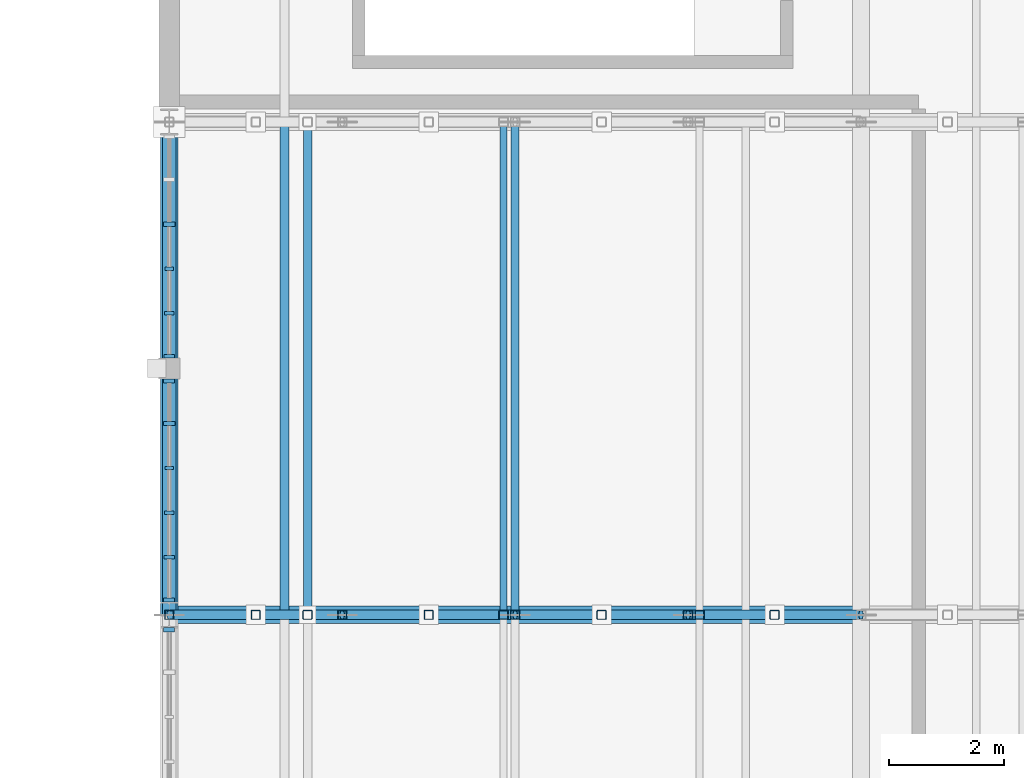
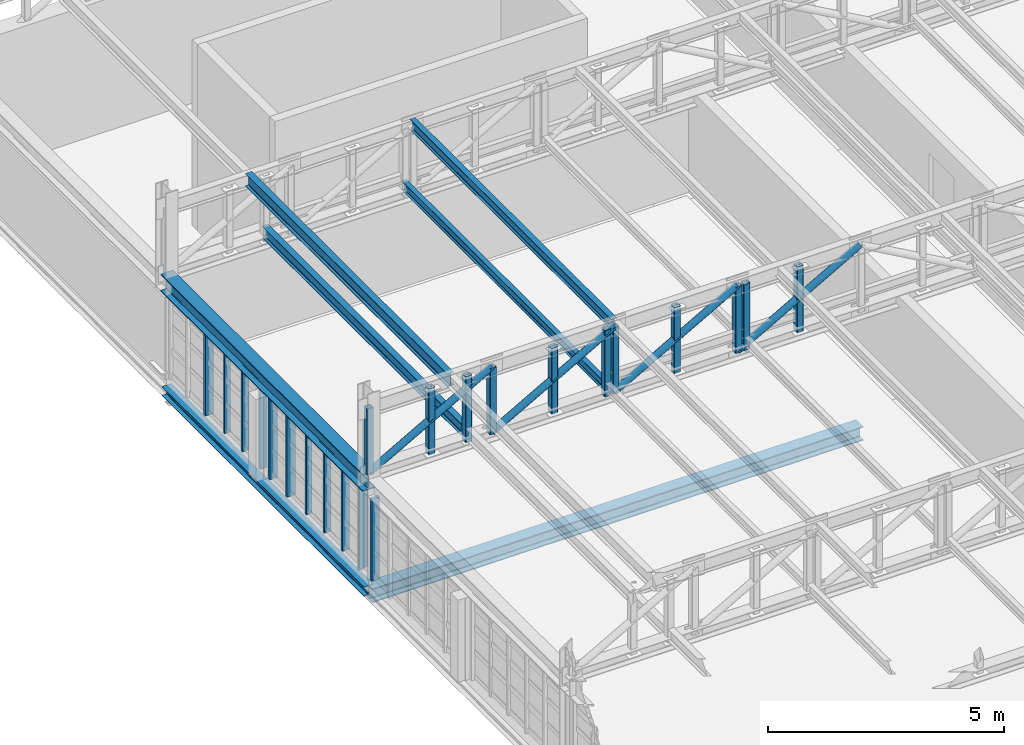
# One storey, part 52 of 128: 30 members, 3 beams, 3 elements without a shape of their own.
"""IFC4 building model written with IfcOpenShell, lengths in metres."""

from ifc_helpers import new_model, si_unit, direction, frame, origin, origin_2d, place, context, subcontext, project, spatial, rectangle, hollow_rectangle, hollow_circle, i_section, extrude, material, material_profile, profile_set, type_object, element, aggregate, save


model = new_model("IFC4")

# Units and contexts
model_context = context("Model", 3, precision=1e-05, world=origin(), true_north=direction((0.0, 1.0)))
body_context = subcontext(model_context, "Body", "Model", "MODEL_VIEW")
ifc_project = project(units=[si_unit("LENGTHUNIT", "METRE"), si_unit("AREAUNIT", "SQUARE_METRE"), si_unit("VOLUMEUNIT", "CUBIC_METRE"), si_unit("PLANEANGLEUNIT", "RADIAN"), si_unit("MASSUNIT", "GRAM", prefix="KILO")], contexts=[model_context])

# Site, building, storey
site_placement = place(None, origin())
site = spatial("IfcSite", under=ifc_project, at=site_placement, CompositionType="ELEMENT")
building_placement = place(site_placement, origin())
building = spatial("IfcBuilding", under=site, at=building_placement, Name="Serraforn Aerial Cableway Station", CompositionType="ELEMENT")
storey_placement = place(building_placement, frame((0.0, 0.0, 9.0)))
storey = spatial("IfcBuildingStorey", under=building, at=storey_placement, Name="L02", CompositionType="ELEMENT", Elevation=9.0)

# Beams
ifc_material_1 = material(Name="Steel S355JR", Category="steel")
ifc_material_profile_1 = material_profile(ifc_material_1, i_section(OverallWidth=0.239990234375, OverallDepth=0.239990234375, WebThickness=0.007568359375, FlangeThickness=0.011962890625, FilletRadius=0.02099609375, at=origin_2d()), Name="HEA 240")
ifc_profile_set_1 = profile_set([ifc_material_profile_1], Name="Steel S355JR")
beam_type_1 = type_object("IfcBeamType", Name="BM-ST-HEA240", PredefinedType="BEAM", material=ifc_profile_set_1)
beam_1_placement = place(storey_placement, frame((144.0, 96.89990234375, -0.43994140625), z_axis=(0.0, 1.0, 0.0), x_axis=(-1.0, 0.0, 0.0)))
element("IfcBeam", 1, at=beam_1_placement, inside=storey, type_object=beam_type_1, Name="Grid Girder Y EG L02 X1-7", PredefinedType="BEAM", context=body_context, shape_type="SweptSolid", body=[
    extrude(i_section(OverallWidth=0.239990234375, OverallDepth=0.239990234375, WebThickness=0.007568359375, FlangeThickness=0.011962890625, FilletRadius=0.02099609375, at=origin_2d()), origin(), (0.0, 0.0, 1.0), 8.550048828125),
])
ifc_material_2 = material(Name="Steel S355J2", Category="steel")
ifc_material_profile_2 = material_profile(ifc_material_2, i_section(OverallWidth=0.300048828125, OverallDepth=0.360107421875, WebThickness=0.012451171875, FlangeThickness=0.0224609375, FilletRadius=0.027099609375, at=origin_2d()), Name="HEB 360")
ifc_profile_set_2 = profile_set([ifc_material_profile_2], Name="Steel S355J2")
beam_type_2 = type_object("IfcBeamType", Name="BM-ST-HEB360", PredefinedType="USERDEFINED", material=ifc_profile_set_2)
beam_2_placement = place(storey_placement, frame((144.0, 96.89990234375, -0.5), z_axis=(1.0, 0.0, 0.0), x_axis=(0.0, 1.0, 0.0)))
element("IfcBeam", 2, at=beam_2_placement, inside=storey, type_object=beam_type_2, Name="Grid Girder X EG L02 Y7-1", ObjectType="GIRDER", PredefinedType="USERDEFINED", context=body_context, shape_type="SweptSolid", body=[
    extrude(i_section(OverallWidth=0.300048828125, OverallDepth=0.360107421875, WebThickness=0.012451171875, FlangeThickness=0.0224609375, FilletRadius=0.027099609375, at=origin_2d()), origin(), (0.0, 0.0, 1.0), 12.0),
])
ifc_material_profile_3 = material_profile(ifc_material_2, i_section(OverallWidth=0.300048828125, OverallDepth=0.449951171875, WebThickness=0.013916015625, FlangeThickness=0.02587890625, FilletRadius=0.027099609375, at=origin_2d()), Name="HEB 450")
ifc_profile_set_3 = profile_set([ifc_material_profile_3], Name="Steel S355J2")
beam_type_3 = type_object("IfcBeamType", Name="BM-ST-HEB450", PredefinedType="USERDEFINED", material=ifc_profile_set_3)
beam_3_placement = place(storey_placement, frame((144.0, 96.89990234375, 2.375), z_axis=(0.0, 1.0, 0.0), x_axis=(-1.0, 0.0, 0.0)))
element("IfcBeam", 3, at=beam_3_placement, inside=storey, type_object=beam_type_3, Name="Garage Truss Support Girder W-7", ObjectType="GIRDER", PredefinedType="USERDEFINED", context=body_context, shape_type="SweptSolid", body=[
    extrude(i_section(OverallWidth=0.300048828125, OverallDepth=0.449951171875, WebThickness=0.013916015625, FlangeThickness=0.02587890625, FilletRadius=0.027099609375, at=origin_2d()), origin(), (0.0, 0.0, 1.0), 8.550048828125),
])

# Curtain wall, member
ifc_material_3 = material(Name="Anodised bronze unitised curtain wall")
curtain_wall_type_1 = type_object("IfcCurtainWallType", Name="CW-SYS-11", PredefinedType="USERDEFINED", material=ifc_material_3)
curtain_wall_1_placement = place(storey_placement, origin())
curtain_wall_1 = element("IfcCurtainWall", 4, at=curtain_wall_1_placement, inside=storey, type_object=curtain_wall_type_1, Name="Unitised Curtain Wall CW-EG-L02-W7A", ObjectType="UNITISED CURTAIN WALL", PredefinedType="USERDEFINED")
ifc_material_4 = material(Name="Anodised bronze extruded aluminium", Category="aluminium")
ifc_material_profile_4 = material_profile(ifc_material_4, rectangle(XDim=0.054931640625, YDim=0.139892578125, at=origin_2d()), Name="CW MULLION 55x140")
ifc_profile_set_4 = profile_set([ifc_material_profile_4], Name="Anodised bronze extruded aluminium")
member_type_1 = type_object("IfcMemberType", Name="CW-MUL-1", PredefinedType="MULLION", material=ifc_profile_set_4)
member_1_placement = place(storey_placement, frame((144.0, 102.90380859375, 0.0), z_axis=(0.0, 0.0, 1.0), x_axis=(0.0, -1.0, 0.0)))
member_1 = element("IfcMember", 5, at=member_1_placement, type_object=member_type_1, Name="Curtain Wall Mullion CW-EG-L02-W7A-M4", PredefinedType="MULLION", context=body_context, shape_type="SweptSolid", body=[
    extrude(rectangle(XDim=0.054931640625, YDim=0.139892578125, at=origin_2d()), origin(), (0.0, 0.0, 1.0), 2.1201171875),
])

curtain_wall_type_2 = type_object("IfcCurtainWallType", Name="CW-SYS-12", PredefinedType="USERDEFINED", material=ifc_material_3)
curtain_wall_2_placement = place(storey_placement, origin())
curtain_wall_2 = element("IfcCurtainWall", 6, at=curtain_wall_2_placement, inside=storey, type_object=curtain_wall_type_2, Name="Unitised Curtain Wall CW-EG-L02-W7B", ObjectType="UNITISED CURTAIN WALL", PredefinedType="USERDEFINED")
member_2_placement = place(storey_placement, frame((144.0, 99.4462890625, 0.0), z_axis=(0.0, 0.0, 1.0), x_axis=(0.0, -1.0, 0.0)))
member_2 = element("IfcMember", 7, at=member_2_placement, type_object=member_type_1, Name="Curtain Wall Mullion CW-EG-L02-W7B-M3", PredefinedType="MULLION", context=body_context, shape_type="SweptSolid", body=[
    extrude(rectangle(XDim=0.054931640625, YDim=0.139892578125, at=origin_2d()), origin(), (0.0, 0.0, 1.0), 2.1201171875),
])

# Member
ifc_material_profile_5 = material_profile(ifc_material_4, rectangle(XDim=0.06005859375, YDim=0.159912109375, at=origin_2d()), Name="CW MULLION 60x160")
ifc_profile_set_5 = profile_set([ifc_material_profile_5], Name="Anodised bronze extruded aluminium")
member_type_2 = type_object("IfcMemberType", Name="CW-MUL-2", PredefinedType="MULLION", material=ifc_profile_set_5)
member_3_placement = place(storey_placement, frame((144.0, 102.12939453125, 0.0), z_axis=(0.0, 0.0, 1.0), x_axis=(0.0, -1.0, 0.0)))
member_3 = element("IfcMember", 8, at=member_3_placement, type_object=member_type_2, Name="Curtain Wall Mullion CW-EG-L02-W7A-M5", PredefinedType="MULLION", context=body_context, shape_type="SweptSolid", body=[
    extrude(rectangle(XDim=0.06005859375, YDim=0.159912109375, at=origin_2d()), origin(), (0.0, 0.0, 1.0), 2.1201171875),
])

member_4_placement = place(storey_placement, frame((144.0, 98.671875, 0.0), z_axis=(0.0, 0.0, 1.0), x_axis=(0.0, -1.0, 0.0)))
member_4 = element("IfcMember", 9, at=member_4_placement, type_object=member_type_2, Name="Curtain Wall Mullion CW-EG-L02-W7B-M4", PredefinedType="MULLION", context=body_context, shape_type="SweptSolid", body=[
    extrude(rectangle(XDim=0.06005859375, YDim=0.159912109375, at=origin_2d()), origin(), (0.0, 0.0, 1.0), 2.1201171875),
])

ifc_material_profile_6 = material_profile(ifc_material_4, rectangle(XDim=0.06494140625, YDim=0.175048828125, at=origin_2d()), Name="CW MULLION 65x175")
ifc_profile_set_6 = profile_set([ifc_material_profile_6], Name="Anodised bronze extruded aluminium")
member_type_3 = type_object("IfcMemberType", Name="CW-MUL-3", PredefinedType="MULLION", material=ifc_profile_set_6)
member_5_placement = place(storey_placement, frame((144.0, 101.387451171875, 0.0), z_axis=(0.0, 0.0, 1.0), x_axis=(0.0, -1.0, 0.0)))
member_5 = element("IfcMember", 10, at=member_5_placement, type_object=member_type_3, Name="Curtain Wall Mullion CW-EG-L02-W7A-M6", PredefinedType="MULLION", context=body_context, shape_type="SweptSolid", body=[
    extrude(rectangle(XDim=0.06494140625, YDim=0.175048828125, at=origin_2d()), origin(), (0.0, 0.0, 1.0), 2.1201171875),
])

member_6_placement = place(storey_placement, frame((144.0, 97.8974609375, 0.0), z_axis=(0.0, 0.0, 1.0), x_axis=(0.0, -1.0, 0.0)))
member_6 = element("IfcMember", 11, at=member_6_placement, type_object=member_type_3, Name="Curtain Wall Mullion CW-EG-L02-W7B-M5", PredefinedType="MULLION", context=body_context, shape_type="SweptSolid", body=[
    extrude(rectangle(XDim=0.06494140625, YDim=0.175048828125, at=origin_2d()), origin(), (0.0, 0.0, 1.0), 2.1201171875),
])

# Curtain wall, member
curtain_wall_type_3 = type_object("IfcCurtainWallType", Name="CW-SYS-7", PredefinedType="USERDEFINED", material=ifc_material_3)
curtain_wall_3_placement = place(storey_placement, origin())
curtain_wall_3 = element("IfcCurtainWall", 12, at=curtain_wall_3_placement, inside=storey, type_object=curtain_wall_type_3, Name="Unitised Curtain Wall CW-EG-L02-W6A", ObjectType="UNITISED CURTAIN WALL", PredefinedType="USERDEFINED")
ifc_material_profile_7 = material_profile(ifc_material_4, rectangle(XDim=0.070068359375, YDim=0.18994140625, at=origin_2d()), Name="CW MULLION 70x190")
ifc_profile_set_7 = profile_set([ifc_material_profile_7], Name="Anodised bronze extruded aluminium")
member_type_4 = type_object("IfcMemberType", Name="CW-MUL-4", PredefinedType="MULLION", material=ifc_profile_set_7)
member_7_placement = place(storey_placement, frame((144.0, 96.64208984375, 0.0), z_axis=(0.0, 0.0, 1.0), x_axis=(0.0, -1.0, 0.0)))
member_7 = element("IfcMember", 13, at=member_7_placement, type_object=member_type_4, Name="Curtain Wall Mullion CW-EG-L02-W6A-M1", PredefinedType="MULLION", context=body_context, shape_type="SweptSolid", body=[
    extrude(rectangle(XDim=0.070068359375, YDim=0.18994140625, at=origin_2d()), origin(), (0.0, 0.0, 1.0), 2.1201171875),
])
aggregate(curtain_wall_3, [member_7])

# Member
member_8_placement = place(storey_placement, frame((144.0, 100.9599609375, 0.0), z_axis=(0.0, 0.0, 1.0), x_axis=(0.0, -1.0, 0.0)))
member_8 = element("IfcMember", 14, at=member_8_placement, type_object=member_type_4, Name="Curtain Wall Mullion CW-EG-L02-W7B-M1", PredefinedType="MULLION", context=body_context, shape_type="SweptSolid", body=[
    extrude(rectangle(XDim=0.070068359375, YDim=0.18994140625, at=origin_2d()), origin(), (0.0, 0.0, 1.0), 2.1201171875),
])

member_9_placement = place(storey_placement, frame((144.0, 97.157958984375, 0.0), z_axis=(0.0, 0.0, 1.0), x_axis=(0.0, -1.0, 0.0)))
member_9 = element("IfcMember", 15, at=member_9_placement, type_object=member_type_4, Name="Curtain Wall Mullion CW-EG-L02-W7B-M6", PredefinedType="MULLION", context=body_context, shape_type="SweptSolid", body=[
    extrude(rectangle(XDim=0.070068359375, YDim=0.18994140625, at=origin_2d()), origin(), (0.0, 0.0, 1.0), 2.1201171875),
])

ifc_material_profile_8 = material_profile(ifc_material_4, rectangle(XDim=0.074951171875, YDim=0.199951171875, at=origin_2d()), Name="CW MULLION 75x200")
ifc_profile_set_8 = profile_set([ifc_material_profile_8], Name="Anodised bronze extruded aluminium")
member_type_5 = type_object("IfcMemberType", Name="CW-MUL-5", PredefinedType="MULLION", material=ifc_profile_set_8)
member_10_placement = place(storey_placement, frame((144.0, 103.67822265625, 0.0), z_axis=(0.0, 0.0, 1.0), x_axis=(0.0, -1.0, 0.0)))
member_10 = element("IfcMember", 16, at=member_10_placement, type_object=member_type_5, Name="Curtain Wall Mullion CW-EG-L02-W7A-M3", PredefinedType="MULLION", context=body_context, shape_type="SweptSolid", body=[
    extrude(rectangle(XDim=0.074951171875, YDim=0.199951171875, at=origin_2d()), origin(), (0.0, 0.0, 1.0), 2.1201171875),
])

aggregate(curtain_wall_1, [member_10, member_1, member_3, member_5])

member_11_placement = place(storey_placement, frame((144.0, 100.220703125, 0.0), z_axis=(0.0, 0.0, 1.0), x_axis=(0.0, -1.0, 0.0)))
member_11 = element("IfcMember", 17, at=member_11_placement, type_object=member_type_5, Name="Curtain Wall Mullion CW-EG-L02-W7B-M2", PredefinedType="MULLION", context=body_context, shape_type="SweptSolid", body=[
    extrude(rectangle(XDim=0.074951171875, YDim=0.199951171875, at=origin_2d()), origin(), (0.0, 0.0, 1.0), 2.1201171875),
])

aggregate(curtain_wall_2, [member_8, member_11, member_2, member_4, member_6, member_9])

# Members
ifc_material_profile_9 = material_profile(ifc_material_2, hollow_circle(Radius=0.084228515625, WallThickness=0.008056640625, at=origin_2d()), Name="CHS 168.3x8.0")
ifc_profile_set_9 = profile_set([ifc_material_profile_9], Name="Steel S355J2")
member_type_6 = type_object("IfcMemberType", Name="MEM-DG-CHS168", PredefinedType="BRACE", material=ifc_profile_set_9)
for number, where, z_axis, x_axis, name in (
    (18, (144.0, 96.89990234375, 2.60009765625), (0.871272396707, 0.0, 0.490799766439), (0.0, 1.0, 0.0), "Garage Truss GT-10 Diagonal 1"),
    (19, (147.0, 96.89990234375, 2.60009765625), (0.871272396707, 0.0, 0.490799766439), (0.0, 1.0, 0.0), "Garage Truss GT-10 Diagonal 2"),
    (20, (150.0, 96.89990234375, 2.60009765625), (0.871272396707, 0.0, 0.490799766439), (0.0, 1.0, 0.0), "Garage Truss GT-10 Diagonal 3"),
    (21, (153.0, 96.89990234375, 2.60009765625), (0.871272396707, 0.0, 0.490799766439), (0.0, 1.0, 0.0), "Garage Truss GT-10 Diagonal 4"),
):
    element("IfcMember", number, at=place(storey_placement, frame(where, z_axis=z_axis, x_axis=x_axis)), inside=storey, type_object=member_type_6, Name=name, PredefinedType="BRACE", context=body_context, shape_type="SweptSolid", body=[
        extrude(hollow_circle(Radius=0.084228515625, WallThickness=0.008056640625, at=origin_2d()), origin(), (0.0, 0.0, 1.0), 3.443359375),
    ])
ifc_material_profile_10 = material_profile(ifc_material_1, i_section(OverallWidth=0.135009765625, OverallDepth=0.27001953125, WebThickness=0.006591796875, FlangeThickness=0.01025390625, FilletRadius=0.014892578125, at=origin_2d()), Name="IPE 270")
ifc_profile_set_10 = profile_set([ifc_material_profile_10], Name="Steel S355JR")
member_type_7 = type_object("IfcMemberType", Name="MEM-PR-IPE270", PredefinedType="PURLIN", material=ifc_profile_set_10)
member_12_placement = place(storey_placement, frame((150.0, 96.89990234375, 4.3349609375), z_axis=(0.0, 1.0, 0.0), x_axis=(-1.0, 0.0, 0.0)))
element("IfcMember", 22, at=member_12_placement, inside=storey, type_object=member_type_7, Name="Fleet Garage Roof Purlin 7-2", PredefinedType="PURLIN", context=body_context, shape_type="SweptSolid", body=[
    extrude(i_section(OverallWidth=0.135009765625, OverallDepth=0.27001953125, WebThickness=0.006591796875, FlangeThickness=0.01025390625, FilletRadius=0.014892578125, at=origin_2d()), origin(), (0.0, 0.0, 1.0), 8.550048828125),
])
ifc_material_profile_11 = material_profile(ifc_material_1, i_section(OverallWidth=0.159912109375, OverallDepth=0.330078125, WebThickness=0.007568359375, FlangeThickness=0.011474609375, FilletRadius=0.01806640625, at=origin_2d()), Name="IPE 330")
ifc_profile_set_11 = profile_set([ifc_material_profile_11], Name="Steel S355JR")
member_type_8 = type_object("IfcMemberType", Name="MEM-PR-IPE330", PredefinedType="PURLIN", material=ifc_profile_set_11)
member_13_placement = place(storey_placement, frame((146.0, 96.89990234375, 4.304931640625), z_axis=(0.0, 1.0, 0.0), x_axis=(-1.0, 0.0, 0.0)))
element("IfcMember", 23, at=member_13_placement, inside=storey, type_object=member_type_8, Name="Fleet Garage Roof Purlin 7-1", PredefinedType="PURLIN", context=body_context, shape_type="SweptSolid", body=[
    extrude(i_section(OverallWidth=0.159912109375, OverallDepth=0.330078125, WebThickness=0.007568359375, FlangeThickness=0.011474609375, FilletRadius=0.01806640625, at=origin_2d()), origin(), (0.0, 0.0, 1.0), 8.550048828125),
])
ifc_material_profile_12 = material_profile(ifc_material_2, i_section(OverallWidth=0.1201171875, OverallDepth=0.239990234375, WebThickness=0.006103515625, FlangeThickness=0.009765625, FilletRadius=0.014892578125, at=origin_2d()), Name="IPE 240")
ifc_profile_set_12 = profile_set([ifc_material_profile_12], Name="Steel S355J2")
member_type_9 = type_object("IfcMemberType", Name="MEM-RL-IPE240", PredefinedType="USERDEFINED", material=ifc_profile_set_12)
member_14_placement = place(storey_placement, frame((149.800048828125, 96.89990234375, 2.820068359375), z_axis=(0.0, 1.0, 0.0), x_axis=(-1.0, 0.0, 0.0)))
element("IfcMember", 24, at=member_14_placement, inside=storey, type_object=member_type_9, Name="Overhead Cabin Storage Track Rail 2-6", ObjectType="OVERHEAD TRACK RAIL", PredefinedType="USERDEFINED", context=body_context, shape_type="SweptSolid", body=[
    extrude(i_section(OverallWidth=0.1201171875, OverallDepth=0.239990234375, WebThickness=0.006103515625, FlangeThickness=0.009765625, FilletRadius=0.014892578125, at=origin_2d()), origin(), (0.0, 0.0, 1.0), 8.550048828125),
])
ifc_material_profile_13 = material_profile(ifc_material_2, i_section(OverallWidth=0.14990234375, OverallDepth=0.300048828125, WebThickness=0.007080078125, FlangeThickness=0.0107421875, FilletRadius=0.014892578125, at=origin_2d()), Name="IPE 300")
ifc_profile_set_13 = profile_set([ifc_material_profile_13], Name="Steel S355J2")
member_type_10 = type_object("IfcMemberType", Name="MEM-RL-IPE300", PredefinedType="USERDEFINED", material=ifc_profile_set_13)
member_15_placement = place(storey_placement, frame((146.39990234375, 96.89990234375, 2.820068359375), z_axis=(0.0, 1.0, 0.0), x_axis=(-1.0, 0.0, 0.0)))
element("IfcMember", 25, at=member_15_placement, inside=storey, type_object=member_type_10, Name="Overhead Cabin Storage Track Rail 1-6", ObjectType="OVERHEAD TRACK RAIL", PredefinedType="USERDEFINED", context=body_context, shape_type="SweptSolid", body=[
    extrude(i_section(OverallWidth=0.14990234375, OverallDepth=0.300048828125, WebThickness=0.007080078125, FlangeThickness=0.0107421875, FilletRadius=0.014892578125, at=origin_2d()), origin(), (0.0, 0.0, 1.0), 8.550048828125),
])
ifc_material_profile_14 = material_profile(ifc_material_2, hollow_rectangle(XDim=0.159912109375, YDim=0.159912109375, WallThickness=0.008056640625, InnerFilletRadius=0.008056640625, OuterFilletRadius=0.01611328125, at=origin_2d()), Name="SHS 160x160x8.0")
ifc_profile_set_14 = profile_set([ifc_material_profile_14], Name="Steel S355J2")
member_type_11 = type_object("IfcMemberType", Name="MEM-VP-SHS160", PredefinedType="STRUT", material=ifc_profile_set_14)
for number, where, z_axis, x_axis, name in (
    (26, (144.0, 96.89990234375, 2.590087890625), (0.0, 0.0, 1.0), (1.0, 0.0, 0.0), "Garage Truss GT-10 Post 1"),
    (27, (147.0, 96.89990234375, 2.590087890625), (0.0, 0.0, 1.0), (1.0, 0.0, 0.0), "Garage Truss GT-10 Post 2"),
    (28, (150.0, 96.89990234375, 2.590087890625), (0.0, 0.0, 1.0), (1.0, 0.0, 0.0), "Garage Truss GT-10 Post 3"),
    (29, (153.0, 96.89990234375, 2.590087890625), (0.0, 0.0, 1.0), (1.0, 0.0, 0.0), "Garage Truss GT-10 Post 4"),
    (30, (146.39990234375, 96.89990234375, 2.590087890625), (0.0, 0.0, 1.0), (1.0, 0.0, 0.0), "Overhead Rail Suspension Post 049"),
    (31, (149.800048828125, 96.89990234375, 2.590087890625), (0.0, 0.0, 1.0), (1.0, 0.0, 0.0), "Overhead Rail Suspension Post 050"),
    (32, (153.199951171875, 96.89990234375, 2.590087890625), (0.0, 0.0, 1.0), (1.0, 0.0, 0.0), "Overhead Rail Suspension Post 051"),
    (33, (145.5, 96.89990234375, 2.590087890625), (0.0, 0.0, 1.0), (1.0, 0.0, 0.0), "Garage Truss GT-10 Sub-Vertical 1"),
    (34, (148.5, 96.89990234375, 2.590087890625), (0.0, 0.0, 1.0), (1.0, 0.0, 0.0), "Garage Truss GT-10 Sub-Vertical 2"),
    (35, (151.5, 96.89990234375, 2.590087890625), (0.0, 0.0, 1.0), (1.0, 0.0, 0.0), "Garage Truss GT-10 Sub-Vertical 3"),
    (36, (154.5, 96.89990234375, 2.590087890625), (0.0, 0.0, 1.0), (1.0, 0.0, 0.0), "Garage Truss GT-10 Sub-Vertical 4"),
):
    element("IfcMember", number, at=place(storey_placement, frame(where, z_axis=z_axis, x_axis=x_axis)), inside=storey, type_object=member_type_11, Name=name, PredefinedType="STRUT", context=body_context, shape_type="SweptSolid", body=[
        extrude(hollow_rectangle(XDim=0.159912109375, YDim=0.159912109375, WallThickness=0.008056640625, InnerFilletRadius=0.008056640625, OuterFilletRadius=0.01611328125, at=origin_2d()), origin(), (0.0, 0.0, 1.0), 1.7099609375),
    ])

save(model, "model.ifc")
